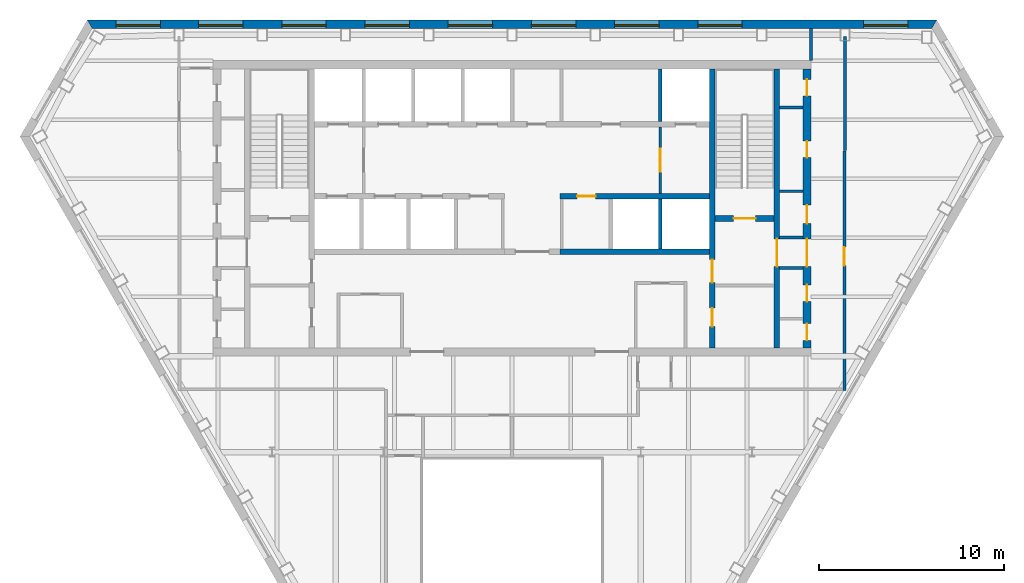
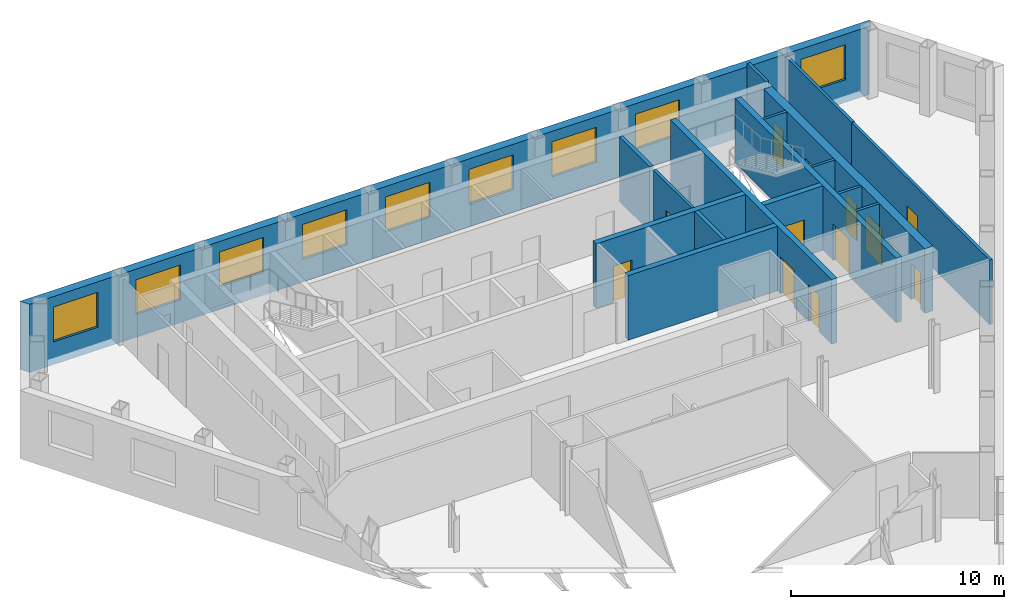
# One storey, part 7 of 11: 17 walls, 13 doors, 9 windows, 22 openings.
"""IFC4 building model written with IfcOpenShell, lengths in metres."""

from ifc_helpers import new_model, si_unit, direction, frame, frame_2d, origin, place, context, subcontext, project, spatial, polyline, rectangle, outline, extrude, material, layer, layer_set, type_object, element, fill, save


model = new_model("IFC4")

# Units and contexts
model_context = context("Model", 3, precision=1e-05, world=origin(), true_north=direction((0.0, 1.0)))
body_context = subcontext(model_context, "Body", "Model", "MODEL_VIEW")
ifc_project = project(units=[si_unit("LENGTHUNIT", "METRE"), si_unit("AREAUNIT", "SQUARE_METRE"), si_unit("VOLUMEUNIT", "CUBIC_METRE"), si_unit("PLANEANGLEUNIT", "RADIAN"), si_unit("MASSUNIT", "GRAM", prefix="KILO")], contexts=[model_context])

# Site, building, storey
site_placement = place(None, origin())
site = spatial("IfcSite", under=ifc_project, at=site_placement, CompositionType="ELEMENT")
building_placement = place(site_placement, origin())
building = spatial("IfcBuilding", under=site, at=building_placement, Name="Njiva Tower", CompositionType="ELEMENT")
storey_placement = place(building_placement, frame((0.0, 0.0, 208.2)))
storey = spatial("IfcBuildingStorey", under=building, at=storey_placement, Name="L46", CompositionType="ELEMENT", Elevation=208.2)

# Wall
ifc_material_1 = material(Name="Blockwork", Category="masonry")
ifc_layer_1 = layer(ifc_material_1, 0.15)
ifc_layer_set_1 = layer_set([ifc_layer_1], Name="Blockwork")
wall_type_1 = type_object("IfcWallType", Name="WT1 Compartment partition 150", PredefinedType="PARTITIONING", material=ifc_layer_set_1)
wall_1_placement = place(storey_placement, frame((14.5, 10.9308, 0.0), z_axis=(0.0, 0.0, 1.0), x_axis=(1.0, 0.0, 0.0)))
element("IfcWall", 1, at=wall_1_placement, inside=storey, type_object=wall_type_1, Name="Partition strip E10", PredefinedType="PARTITIONING", context=body_context, shape_type="SweptSolid", body=[
    extrude(rectangle(XDim=1.25, YDim=0.15, at=frame_2d((0.625, 0.0))), origin(), (0.0, 0.0, 1.0), 3.7),
])

# Wall, openings, doors
ifc_material_2 = material(Name="Concrete C40/50", Category="concrete")
ifc_layer_2 = layer(ifc_material_2, 0.3)
ifc_layer_set_2 = layer_set([ifc_layer_2], Name="Concrete C40/50")
wall_type_2 = type_object("IfcWallType", Name="WT10 Stair enclosure wall 300", PredefinedType="SHEAR", material=ifc_layer_set_2)
wall_2_placement = place(storey_placement, frame((10.85, 2.45, 0.0), z_axis=(0.0, 0.0, 1.0), x_axis=(0.0, 1.0, 0.0)))
wall_2 = element("IfcWall", 2, at=wall_2_placement, inside=storey, type_object=wall_type_2, Name="Stair wall east inner", PredefinedType="SHEAR", context=body_context, shape_type="SweptSolid", body=[
    extrude(rectangle(XDim=15.1, YDim=0.3, at=frame_2d((7.55, 0.0))), origin(), (0.0, 0.0, 1.0), 3.7),
])
opening_1_placement = place(wall_2_placement, frame((3.525, 0.0, 0.0)))
opening_1 = element("IfcOpeningElement", 3, at=opening_1_placement, cuts=wall_2, Name="Opening S15-D919", PredefinedType="OPENING", context=body_context, shape_type="SweptSolid", body=[
    extrude(rectangle(XDim=1.25, YDim=2.1, at=frame_2d((0.625, 1.05))), frame((0.0, 0.16, 0.0), z_axis=(0.0, -1.0, 0.0), x_axis=(1.0, 0.0, 0.0)), (0.0, 0.0, 1.0), 0.32),
])
opening_2_placement = place(wall_2_placement, frame((1.15, 0.0, 0.0)))
opening_2 = element("IfcOpeningElement", 4, at=opening_2_placement, cuts=wall_2, Name="Opening S15-D920", PredefinedType="OPENING", context=body_context, shape_type="SweptSolid", body=[
    extrude(rectangle(XDim=1.0, YDim=2.1, at=frame_2d((0.5, 1.05))), frame((0.0, 0.16, 0.0), z_axis=(0.0, -1.0, 0.0), x_axis=(1.0, 0.0, 0.0)), (0.0, 0.0, 1.0), 0.32),
])
ifc_material_3 = material(Name="Steel door, painted", Category="steel")
door_type_1 = type_object("IfcDoorType", Name="D5 Steel door 1000x2100", OperationType="SINGLE_SWING_LEFT", PredefinedType="DOOR", material=ifc_material_3)
door_1_placement = place(opening_2_placement, origin())
door_1 = element("IfcDoor", 5, at=door_1_placement, inside=storey, type_object=door_type_1, Name="Prayer room door", OperationType="SINGLE_SWING_LEFT", OverallHeight=2.1, OverallWidth=1.0, PredefinedType="DOOR", context=body_context, shape_type="SweptSolid", body=[
    extrude(rectangle(XDim=1.0, YDim=2.1, at=frame_2d((0.5, 1.05))), frame((0.0, 0.025, 0.0), z_axis=(0.0, -1.0, 0.0), x_axis=(1.0, 0.0, 0.0)), (0.0, 0.0, 1.0), 0.05),
])
fill(opening_2, door_1)
ifc_material_4 = material(Name="Glazed steel fire door", Category="steel")
door_type_2 = type_object("IfcDoorType", Name="D8 Vestibule corridor door 1250x2100 glazed", OperationType="SINGLE_SWING_LEFT", PredefinedType="DOOR", material=ifc_material_4)
door_2_placement = place(opening_1_placement, origin())
door_2 = element("IfcDoor", 6, at=door_2_placement, inside=storey, type_object=door_type_2, Name="Stair vestibule corridor door", OperationType="SINGLE_SWING_RIGHT", OverallHeight=2.1, OverallWidth=1.25, PredefinedType="DOOR", context=body_context, shape_type="SweptSolid", body=[
    extrude(rectangle(XDim=1.25, YDim=2.1, at=frame_2d((0.625, 1.05))), frame((0.0, 0.025, 0.0), z_axis=(0.0, -1.0, 0.0), x_axis=(1.0, 0.0, 0.0)), (0.0, 0.0, 1.0), 0.05),
])
fill(opening_1, door_2)

# Wall, opening, door
wall_3_placement = place(storey_placement, frame((14.35, 2.45, 0.0), z_axis=(0.0, 0.0, 1.0), x_axis=(0.0, 1.0, 0.0)))
wall_3 = element("IfcWall", 7, at=wall_3_placement, inside=storey, type_object=wall_type_2, Name="Stair wall east outer", PredefinedType="SHEAR", context=body_context, shape_type="SweptSolid", body=[
    extrude(rectangle(XDim=15.1, YDim=0.3, at=frame_2d((7.55, 0.0))), origin(), (0.0, 0.0, 1.0), 3.7),
])
opening_3_placement = place(wall_3_placement, frame((4.4, 0.0, 0.0)))
opening_3 = element("IfcOpeningElement", 8, at=opening_3_placement, cuts=wall_3, Name="Opening S15-D928", PredefinedType="OPENING", context=body_context, shape_type="SweptSolid", body=[
    extrude(rectangle(XDim=1.5, YDim=2.1, at=frame_2d((0.75, 1.05))), frame((0.0, 0.16, 0.0), z_axis=(0.0, -1.0, 0.0), x_axis=(1.0, 0.0, 0.0)), (0.0, 0.0, 1.0), 0.32),
])
door_type_3 = type_object("IfcDoorType", Name="D10 Exit door double 1500x2100 glazed", OperationType="DOUBLE_DOOR_SINGLE_SWING", PredefinedType="DOOR", material=ifc_material_4)
door_3_placement = place(opening_3_placement, origin())
door_3 = element("IfcDoor", 9, at=door_3_placement, inside=storey, type_object=door_type_3, Name="Stair B passage door", OperationType="DOUBLE_DOOR_SINGLE_SWING", OverallHeight=2.1, OverallWidth=1.5, PredefinedType="DOOR", context=body_context, shape_type="SweptSolid", body=[
    extrude(rectangle(XDim=1.5, YDim=2.1, at=frame_2d((0.75, 1.05))), frame((0.0, 0.025, 0.0), z_axis=(0.0, -1.0, 0.0), x_axis=(1.0, 0.0, 0.0)), (0.0, 0.0, 1.0), 0.05),
])
fill(opening_3, door_3)

wall_4_placement = place(storey_placement, frame((11.0, 9.45, 0.0), z_axis=(0.0, 0.0, 1.0), x_axis=(1.0, 0.0, 0.0)))
wall_4 = element("IfcWall", 10, at=wall_4_placement, inside=storey, type_object=wall_type_2, Name="Stair B south wall", PredefinedType="SHEAR", context=body_context, shape_type="SweptSolid", body=[
    extrude(rectangle(XDim=3.2, YDim=0.3, at=frame_2d((1.6, 0.0))), origin(), (0.0, 0.0, 1.0), 3.7),
])
opening_4_placement = place(wall_4_placement, frame((1.0, 0.0, 0.0)))
opening_4 = element("IfcOpeningElement", 11, at=opening_4_placement, cuts=wall_4, Name="Opening S15-D918", PredefinedType="OPENING", context=body_context, shape_type="SweptSolid", body=[
    extrude(rectangle(XDim=1.2, YDim=2.1, at=frame_2d((0.6, 1.05))), frame((0.0, 0.16, 0.0), z_axis=(0.0, -1.0, 0.0), x_axis=(1.0, 0.0, 0.0)), (0.0, 0.0, 1.0), 0.32),
])
door_type_4 = type_object("IfcDoorType", Name="D7 Stair vestibule door 1200x2100 glazed", OperationType="SINGLE_SWING_LEFT", PredefinedType="DOOR", material=ifc_material_4)
door_4_placement = place(opening_4_placement, origin())
door_4 = element("IfcDoor", 12, at=door_4_placement, inside=storey, type_object=door_type_4, Name="Stair B door", OperationType="SINGLE_SWING_LEFT", OverallHeight=2.1, OverallWidth=1.2, PredefinedType="DOOR", context=body_context, shape_type="SweptSolid", body=[
    extrude(rectangle(XDim=1.2, YDim=2.1, at=frame_2d((0.6, 1.05))), frame((0.0, 0.025, 0.0), z_axis=(0.0, -1.0, 0.0), x_axis=(1.0, 0.0, 0.0)), (0.0, 0.0, 1.0), 0.05),
])
fill(opening_4, door_4)

# Wall, openings, doors
ifc_material_5 = material(Name="Concrete C60/75", Category="concrete")
ifc_layer_3 = layer(ifc_material_5, 0.45)
ifc_layer_set_3 = layer_set([ifc_layer_3], Name="Concrete C60/75")
wall_type_3 = type_object("IfcWallType", Name="WT12 Core wall 450", PredefinedType="SHEAR", material=ifc_layer_set_3)
wall_5_placement = place(storey_placement, frame((15.975, 2.45, 0.0), z_axis=(0.0, 0.0, 1.0), x_axis=(0.0, 1.0, 0.0)))
wall_5 = element("IfcWall", 13, at=wall_5_placement, inside=storey, type_object=wall_type_3, Name="Core wall east", PredefinedType="SHEAR", context=body_context, shape_type="SweptSolid", body=[
    extrude(rectangle(XDim=15.1, YDim=0.45, at=frame_2d((7.55, 0.0))), origin(), (0.0, 0.0, 1.0), 3.7),
])
opening_5_placement = place(wall_5_placement, frame((4.4, 0.0, 0.0)))
opening_5 = element("IfcOpeningElement", 14, at=opening_5_placement, cuts=wall_5, Name="Opening S15-D929", PredefinedType="OPENING", context=body_context, shape_type="SweptSolid", body=[
    extrude(rectangle(XDim=1.5, YDim=2.1, at=frame_2d((0.75, 1.05))), frame((0.0, 0.235, 0.0), z_axis=(0.0, -1.0, 0.0), x_axis=(1.0, 0.0, 0.0)), (0.0, 0.0, 1.0), 0.47),
])
opening_6_placement = place(wall_5_placement, frame((0.4, 0.0, 0.0)))
opening_6 = element("IfcOpeningElement", 15, at=opening_6_placement, cuts=wall_5, Name="Opening S15-D930", PredefinedType="OPENING", context=body_context, shape_type="SweptSolid", body=[
    extrude(rectangle(XDim=0.9, YDim=2.1, at=frame_2d((0.45, 1.05))), frame((0.0, 0.235, 0.0), z_axis=(0.0, -1.0, 0.0), x_axis=(1.0, 0.0, 0.0)), (0.0, 0.0, 1.0), 0.47),
])
opening_7_placement = place(wall_5_placement, frame((2.5, 0.0, 0.0)))
opening_7 = element("IfcOpeningElement", 16, at=opening_7_placement, cuts=wall_5, Name="Opening S15-D931", PredefinedType="OPENING", context=body_context, shape_type="SweptSolid", body=[
    extrude(rectangle(XDim=0.9, YDim=2.1, at=frame_2d((0.45, 1.05))), frame((0.0, 0.235, 0.0), z_axis=(0.0, -1.0, 0.0), x_axis=(1.0, 0.0, 0.0)), (0.0, 0.0, 1.0), 0.47),
])
opening_8_placement = place(wall_5_placement, frame((6.7279, 0.0, 0.0)))
opening_8 = element("IfcOpeningElement", 17, at=opening_8_placement, cuts=wall_5, Name="Opening S15-D932", PredefinedType="OPENING", context=body_context, shape_type="SweptSolid", body=[
    extrude(rectangle(XDim=1.0, YDim=2.1, at=frame_2d((0.5, 1.05))), frame((0.0, 0.235, 0.0), z_axis=(0.0, -1.0, 0.0), x_axis=(1.0, 0.0, 0.0)), (0.0, 0.0, 1.0), 0.47),
])
opening_9_placement = place(wall_5_placement, frame((10.2933, 0.0, 0.0)))
opening_9 = element("IfcOpeningElement", 18, at=opening_9_placement, cuts=wall_5, Name="Opening S15-D933", PredefinedType="OPENING", context=body_context, shape_type="SweptSolid", body=[
    extrude(rectangle(XDim=0.9, YDim=2.1, at=frame_2d((0.45, 1.05))), frame((0.0, 0.235, 0.0), z_axis=(0.0, -1.0, 0.0), x_axis=(1.0, 0.0, 0.0)), (0.0, 0.0, 1.0), 0.47),
])
opening_10_placement = place(wall_5_placement, frame((13.6404, 0.0, 0.0)))
opening_10 = element("IfcOpeningElement", 19, at=opening_10_placement, cuts=wall_5, Name="Opening S15-D934", PredefinedType="OPENING", context=body_context, shape_type="SweptSolid", body=[
    extrude(rectangle(XDim=0.9, YDim=2.1, at=frame_2d((0.45, 1.05))), frame((0.0, 0.235, 0.0), z_axis=(0.0, -1.0, 0.0), x_axis=(1.0, 0.0, 0.0)), (0.0, 0.0, 1.0), 0.47),
])
door_5_placement = place(opening_5_placement, origin())
door_5 = element("IfcDoor", 20, at=door_5_placement, inside=storey, type_object=door_type_3, Name="Stair B corridor door", OperationType="DOUBLE_DOOR_SINGLE_SWING", OverallHeight=2.1, OverallWidth=1.5, PredefinedType="DOOR", context=body_context, shape_type="SweptSolid", body=[
    extrude(rectangle(XDim=1.5, YDim=2.1, at=frame_2d((0.75, 1.05))), frame((0.0, 0.025, 0.0), z_axis=(0.0, -1.0, 0.0), x_axis=(1.0, 0.0, 0.0)), (0.0, 0.0, 1.0), 0.05),
])
fill(opening_5, door_5)
door_type_5 = type_object("IfcDoorType", Name="D4 Riser door 900x2100", OperationType="SINGLE_SWING_LEFT", PredefinedType="DOOR", material=ifc_material_3)
door_6_placement = place(opening_10_placement, origin())
door_6 = element("IfcDoor", 21, at=door_6_placement, inside=storey, type_object=door_type_5, Name="Cable riser door", OperationType="SINGLE_SWING_RIGHT", OverallHeight=2.1, OverallWidth=0.9, PredefinedType="DOOR", context=body_context, shape_type="SweptSolid", body=[
    extrude(rectangle(XDim=0.9, YDim=2.1, at=frame_2d((0.45, 1.05))), frame((0.0, 0.025, 0.0), z_axis=(0.0, -1.0, 0.0), x_axis=(1.0, 0.0, 0.0)), (0.0, 0.0, 1.0), 0.05),
])
fill(opening_10, door_6)
door_7_placement = place(opening_8_placement, origin())
door_7 = element("IfcDoor", 22, at=door_7_placement, inside=storey, type_object=door_type_1, Name="Electrical room door", OperationType="SINGLE_SWING_LEFT", OverallHeight=2.1, OverallWidth=1.0, PredefinedType="DOOR", context=body_context, shape_type="SweptSolid", body=[
    extrude(rectangle(XDim=1.0, YDim=2.1, at=frame_2d((0.5, 1.05))), frame((0.0, 0.025, 0.0), z_axis=(0.0, -1.0, 0.0), x_axis=(1.0, 0.0, 0.0)), (0.0, 0.0, 1.0), 0.05),
])
fill(opening_8, door_7)
ifc_material_6 = material(Name="Steel fire door, painted", Category="steel")
door_type_6 = type_object("IfcDoorType", Name="D6 Fire-rated door 900x2100", OperationType="SINGLE_SWING_LEFT", PredefinedType="DOOR", material=ifc_material_6)
door_8_placement = place(opening_6_placement, origin())
door_8 = element("IfcDoor", 23, at=door_8_placement, inside=storey, type_object=door_type_6, Name="Cleaner's store door", OperationType="SINGLE_SWING_LEFT", OverallHeight=2.1, OverallWidth=0.9, PredefinedType="DOOR", context=body_context, shape_type="SweptSolid", body=[
    extrude(rectangle(XDim=0.9, YDim=2.1, at=frame_2d((0.45, 1.05))), frame((0.0, 0.025, 0.0), z_axis=(0.0, -1.0, 0.0), x_axis=(1.0, 0.0, 0.0)), (0.0, 0.0, 1.0), 0.05),
])
fill(opening_6, door_8)
door_9_placement = place(opening_7_placement, origin())
door_9 = element("IfcDoor", 24, at=door_9_placement, inside=storey, type_object=door_type_6, Name="Cable store door", OperationType="SINGLE_SWING_LEFT", OverallHeight=2.1, OverallWidth=0.9, PredefinedType="DOOR", context=body_context, shape_type="SweptSolid", body=[
    extrude(rectangle(XDim=0.9, YDim=2.1, at=frame_2d((0.45, 1.05))), frame((0.0, 0.025, 0.0), z_axis=(0.0, -1.0, 0.0), x_axis=(1.0, 0.0, 0.0)), (0.0, 0.0, 1.0), 0.05),
])
fill(opening_7, door_9)
door_10_placement = place(opening_9_placement, origin())
door_10 = element("IfcDoor", 25, at=door_10_placement, inside=storey, type_object=door_type_6, Name="Cable store door", OperationType="SINGLE_SWING_RIGHT", OverallHeight=2.1, OverallWidth=0.9, PredefinedType="DOOR", context=body_context, shape_type="SweptSolid", body=[
    extrude(rectangle(XDim=0.9, YDim=2.1, at=frame_2d((0.45, 1.05))), frame((0.0, 0.025, 0.0), z_axis=(0.0, -1.0, 0.0), x_axis=(1.0, 0.0, 0.0)), (0.0, 0.0, 1.0), 0.05),
])
fill(opening_9, door_10)

# Wall, opening, door
ifc_layer_4 = layer(ifc_material_1, 0.15)
ifc_layer_set_4 = layer_set([ifc_layer_4], Name="Blockwork")
wall_type_4 = type_object("IfcWallType", Name="WT2 Lobby partition 150", PredefinedType="PARTITIONING", material=ifc_layer_set_4)
wall_6_placement = place(storey_placement, frame((8.025, 10.8, 0.0), z_axis=(0.0, 0.0, 1.0), x_axis=(0.0, 1.0, 0.0)))
wall_6 = element("IfcWall", 26, at=wall_6_placement, inside=storey, type_object=wall_type_4, Name="Firefighting lobby wall B", PredefinedType="PARTITIONING", context=body_context, shape_type="SweptSolid", body=[
    extrude(rectangle(XDim=3.6, YDim=0.15, at=frame_2d((1.8, 0.0))), origin(), (0.0, 0.0, 1.0), 3.7),
])
opening_11_placement = place(wall_6_placement, frame((1.175, 0.0, 0.0)))
opening_11 = element("IfcOpeningElement", 27, at=opening_11_placement, cuts=wall_6, Name="Opening S15-D917", PredefinedType="OPENING", context=body_context, shape_type="SweptSolid", body=[
    extrude(rectangle(XDim=1.25, YDim=2.1, at=frame_2d((0.625, 1.05))), frame((0.0, 0.085, 0.0), z_axis=(0.0, -1.0, 0.0), x_axis=(1.0, 0.0, 0.0)), (0.0, 0.0, 1.0), 0.17),
])
door_11_placement = place(opening_11_placement, origin())
door_11 = element("IfcDoor", 28, at=door_11_placement, inside=storey, type_object=door_type_2, Name="Stair vestibule corridor door", OperationType="SINGLE_SWING_LEFT", OverallHeight=2.1, OverallWidth=1.25, PredefinedType="DOOR", context=body_context, shape_type="SweptSolid", body=[
    extrude(rectangle(XDim=1.25, YDim=2.1, at=frame_2d((0.625, 1.05))), frame((0.0, 0.025, 0.0), z_axis=(0.0, -1.0, 0.0), x_axis=(1.0, 0.0, 0.0)), (0.0, 0.0, 1.0), 0.05),
])
fill(opening_11, door_11)

# Wall
ifc_material_7 = material(Name="Gypsum board on steel studs", Category="gypsum")
ifc_layer_5 = layer(ifc_material_7, 0.15)
ifc_layer_set_5 = layer_set([ifc_layer_5], Name="Gypsum board on steel studs")
wall_type_5 = type_object("IfcWallType", Name="WT21 Compartment wall 150", PredefinedType="PARTITIONING", material=ifc_layer_set_5)
wall_7_placement = place(storey_placement, frame((16.2, 18.0, 0.0), z_axis=(0.0, 0.0, 1.0), x_axis=(0.0, 1.0, 0.0)))
element("IfcWall", 29, at=wall_7_placement, inside=storey, type_object=wall_type_5, Name="Partition S15-P025", PredefinedType="PARTITIONING", context=body_context, shape_type="SweptSolid", body=[
    extrude(rectangle(XDim=1.75, YDim=0.15, at=frame_2d((0.875, 0.0))), origin(), (0.0, 0.0, 1.0), 3.7),
])

# Wall, opening, door
wall_8_placement = place(storey_placement, frame((18.0, 0.125, 0.0), z_axis=(0.0, 0.0, 1.0), x_axis=(0.0, 1.0, 0.0)))
wall_8 = element("IfcWall", 30, at=wall_8_placement, inside=storey, type_object=wall_type_5, Name="Partition S15-P026", PredefinedType="PARTITIONING", context=body_context, shape_type="SweptSolid", body=[
    extrude(rectangle(XDim=12.98, YDim=0.15, at=frame_2d((6.49, 0.0))), origin(), (0.0, 0.0, 1.0), 3.7),
])
opening_12_placement = place(wall_8_placement, frame((6.777, 0.0, 0.0)))
opening_12 = element("IfcOpeningElement", 31, at=opening_12_placement, cuts=wall_8, Name="Opening S15-D013", PredefinedType="OPENING", context=body_context, shape_type="SweptSolid", body=[
    extrude(rectangle(XDim=1.0, YDim=2.1, at=frame_2d((0.5, 1.05))), frame((0.0, 0.085, 0.0), z_axis=(0.0, -1.0, 0.0), x_axis=(1.0, 0.0, 0.0)), (0.0, 0.0, 1.0), 0.17),
])
ifc_material_8 = material(Name="Steel fire door set", Category="steel")
door_type_7 = type_object("IfcDoorType", Name="D37 Fire door 1000x2100", OperationType="SINGLE_SWING_LEFT", PredefinedType="DOOR", material=ifc_material_8)
door_12_placement = place(opening_12_placement, origin())
door_12 = element("IfcDoor", 32, at=door_12_placement, inside=storey, type_object=door_type_7, Name="Door S15-D013", OperationType="SINGLE_SWING_LEFT", OverallHeight=2.1, OverallWidth=1.0, PredefinedType="DOOR", context=body_context, shape_type="SweptSolid", body=[
    extrude(rectangle(XDim=1.0, YDim=2.1, at=frame_2d((0.5, 1.05))), frame((0.0, 0.025, 0.0), z_axis=(0.0, -1.0, 0.0), x_axis=(1.0, 0.0, 0.0)), (0.0, 0.0, 1.0), 0.05),
])
fill(opening_12, door_12)

# Walls
wall_9_placement = place(storey_placement, frame((18.031, 13.123, 0.0), z_axis=(0.0, 0.0, 1.0), x_axis=(0.0, 1.0, 0.0)))
element("IfcWall", 33, at=wall_9_placement, inside=storey, type_object=wall_type_5, Name="Partition S15-P027", PredefinedType="PARTITIONING", context=body_context, shape_type="SweptSolid", body=[
    extrude(rectangle(XDim=6.177, YDim=0.15, at=frame_2d((3.0885, 0.0))), origin(), (0.0, 0.0, 1.0), 3.7),
])
ifc_layer_6 = layer(ifc_material_1, 0.15)
ifc_layer_set_6 = layer_set([ifc_layer_6], Name="Blockwork")
wall_type_6 = type_object("IfcWallType", Name="WT3 Riser partition 150", PredefinedType="PARTITIONING", material=ifc_layer_set_6)
wall_10_placement = place(storey_placement, frame((14.5, 15.4558, 0.0), z_axis=(0.0, 0.0, 1.0), x_axis=(1.0, 0.0, 0.0)))
element("IfcWall", 34, at=wall_10_placement, inside=storey, type_object=wall_type_6, Name="Partition strip E11", PredefinedType="PARTITIONING", context=body_context, shape_type="SweptSolid", body=[
    extrude(rectangle(XDim=1.25, YDim=0.15, at=frame_2d((0.625, 0.0))), origin(), (0.0, 0.0, 1.0), 3.7),
])
ifc_layer_7 = layer(ifc_material_1, 0.15)
ifc_layer_set_7 = layer_set([ifc_layer_7], Name="Blockwork")
wall_type_7 = type_object("IfcWallType", Name="WT4 Stair partition 150", PredefinedType="PARTITIONING", material=ifc_layer_set_7)
for number, where, z_axis, x_axis, name in (
    (35, (14.5, 6.775, 0.0), (0.0, 0.0, 1.0), (1.0, 0.0, 0.0), "Stair B exit passage wall south"),
    (36, (14.5, 8.425, 0.0), (0.0, 0.0, 1.0), (1.0, 0.0, 0.0), "Stair B exit passage wall north"),
):
    element("IfcWall", number, at=place(storey_placement, frame(where, z_axis=z_axis, x_axis=x_axis)), inside=storey, type_object=wall_type_7, Name=name, PredefinedType="PARTITIONING", context=body_context, shape_type="SweptSolid", body=[
        extrude(rectangle(XDim=1.25, YDim=0.15, at=frame_2d((0.625, 0.0))), origin(), (0.0, 0.0, 1.0), 3.7),
    ])
ifc_layer_8 = layer(ifc_material_2, 0.2)
ifc_layer_set_8 = layer_set([ifc_layer_8], Name="Concrete C40/50")
wall_type_8 = type_object("IfcWallType", Name="WT6 Lift shaft wall 200", PredefinedType="SHEAR", material=ifc_layer_set_8)
wall_11_placement = place(storey_placement, frame((8.025, 14.7, 0.0), z_axis=(0.0, 0.0, 1.0), x_axis=(0.0, 1.0, 0.0)))
element("IfcWall", 37, at=wall_11_placement, inside=storey, type_object=wall_type_8, Name="Shaft wall CN7", PredefinedType="SHEAR", context=body_context, shape_type="SweptSolid", body=[
    extrude(rectangle(XDim=2.85, YDim=0.2, at=frame_2d((1.425, 0.0))), origin(), (0.0, 0.0, 1.0), 3.7),
])
wall_12_placement = place(storey_placement, frame((8.0333, 7.8, 0.0), z_axis=(0.0, 0.0, 1.0), x_axis=(0.0, 1.0, 0.0)))
element("IfcWall", 38, at=wall_12_placement, inside=storey, type_object=wall_type_8, Name="Shaft wall CS7", PredefinedType="SHEAR", context=body_context, shape_type="SweptSolid", body=[
    extrude(rectangle(XDim=2.7, YDim=0.2, at=frame_2d((1.35, 0.0))), origin(), (0.0, 0.0, 1.0), 3.7),
])

# Wall, opening, door
ifc_layer_9 = layer(ifc_material_2, 0.3)
ifc_layer_set_9 = layer_set([ifc_layer_9], Name="Concrete C40/50")
wall_type_9 = type_object("IfcWallType", Name="WT7 Lift shaft wall 300", PredefinedType="SHEAR", material=ifc_layer_set_9)
wall_13_placement = place(storey_placement, frame((2.6, 10.65, 0.0), z_axis=(0.0, 0.0, 1.0), x_axis=(1.0, 0.0, 0.0)))
wall_13 = element("IfcWall", 39, at=wall_13_placement, inside=storey, type_object=wall_type_9, Name="Shaft wall south row lobby side E", PredefinedType="SHEAR", context=body_context, shape_type="SweptSolid", body=[
    extrude(rectangle(XDim=8.1, YDim=0.3, at=frame_2d((4.05, 0.0))), origin(), (0.0, 0.0, 1.0), 3.7),
])
opening_13_placement = place(wall_13_placement, frame((0.9334, 0.0, 0.0)))
opening_13 = element("IfcOpeningElement", 40, at=opening_13_placement, cuts=wall_13, Name="Opening S15-D912", PredefinedType="OPENING", context=body_context, shape_type="SweptSolid", body=[
    extrude(rectangle(XDim=1.0, YDim=2.1, at=frame_2d((0.5, 1.05))), frame((0.0, 0.16, 0.0), z_axis=(0.0, -1.0, 0.0), x_axis=(1.0, 0.0, 0.0)), (0.0, 0.0, 1.0), 0.32),
])
door_13_placement = place(opening_13_placement, origin())
door_13 = element("IfcDoor", 41, at=door_13_placement, inside=storey, type_object=door_type_1, Name="Prayer room door", OperationType="SINGLE_SWING_LEFT", OverallHeight=2.1, OverallWidth=1.0, PredefinedType="DOOR", context=body_context, shape_type="SweptSolid", body=[
    extrude(rectangle(XDim=1.0, YDim=2.1, at=frame_2d((0.5, 1.05))), frame((0.0, 0.025, 0.0), z_axis=(0.0, -1.0, 0.0), x_axis=(1.0, 0.0, 0.0)), (0.0, 0.0, 1.0), 0.05),
])
fill(opening_13, door_13)

# Wall
wall_14_placement = place(storey_placement, frame((2.6, 7.65, 0.0), z_axis=(0.0, 0.0, 1.0), x_axis=(1.0, 0.0, 0.0)))
element("IfcWall", 42, at=wall_14_placement, inside=storey, type_object=wall_type_9, Name="Shaft wall south row back E", PredefinedType="SHEAR", context=body_context, shape_type="SweptSolid", body=[
    extrude(rectangle(XDim=8.1, YDim=0.3, at=frame_2d((4.05, 0.0))), origin(), (0.0, 0.0, 1.0), 3.7),
])

# Wall, openings, windows
ifc_material_9 = material(Name="Brick masonry", Category="masonry")
ifc_layer_10 = layer(ifc_material_9, 0.45)
ifc_layer_set_10 = layer_set([ifc_layer_10], Name="Brick masonry")
wall_type_10 = type_object("IfcWallType", Name="WT90 Brick pier and spandrel wall 450", PredefinedType="SOLIDWALL", material=ifc_layer_set_10)
wall_15_placement = place(storey_placement, frame((22.8701, 19.975, -0.4), z_axis=(0.0, 0.0, 1.0), x_axis=(-1.0, 0.0, 0.0)))
wall_15 = element("IfcWall", 43, at=wall_15_placement, inside=storey, type_object=wall_type_10, Name="Facade wall N", PredefinedType="SOLIDWALL", context=body_context, shape_type="SweptSolid", body=[
    extrude(outline(polyline([(-0.1299, -0.225), (45.8701, -0.225), (45.6103, 0.225), (0.1299, 0.225), (-0.1299, -0.225)])), origin(), (0.0, 0.0, 1.0), 3.9),
])
opening_14_placement = place(wall_15_placement, frame((1.4242, 0.0, 1.3)))
opening_14 = element("IfcOpeningElement", 44, at=opening_14_placement, cuts=wall_15, Name="Opening S15-W01", PredefinedType="OPENING", context=body_context, shape_type="SweptSolid", body=[
    extrude(rectangle(XDim=2.4, YDim=2.0, at=frame_2d((1.2, 1.0))), frame((0.0, 0.235, 0.0), z_axis=(0.0, -1.0, 0.0), x_axis=(1.0, 0.0, 0.0)), (0.0, 0.0, 1.0), 0.47),
])
opening_15_placement = place(wall_15_placement, frame((10.401, 0.0, 1.3)))
opening_15 = element("IfcOpeningElement", 45, at=opening_15_placement, cuts=wall_15, Name="Opening S15-W02", PredefinedType="OPENING", context=body_context, shape_type="SweptSolid", body=[
    extrude(rectangle(XDim=2.4, YDim=2.0, at=frame_2d((1.2, 1.0))), frame((0.0, 0.235, 0.0), z_axis=(0.0, -1.0, 0.0), x_axis=(1.0, 0.0, 0.0)), (0.0, 0.0, 1.0), 0.47),
])
opening_16_placement = place(wall_15_placement, frame((14.9087, 0.0, 1.3)))
opening_16 = element("IfcOpeningElement", 46, at=opening_16_placement, cuts=wall_15, Name="Opening S15-W03", PredefinedType="OPENING", context=body_context, shape_type="SweptSolid", body=[
    extrude(rectangle(XDim=2.4, YDim=2.0, at=frame_2d((1.2, 1.0))), frame((0.0, 0.235, 0.0), z_axis=(0.0, -1.0, 0.0), x_axis=(1.0, 0.0, 0.0)), (0.0, 0.0, 1.0), 0.47),
])
opening_17_placement = place(wall_15_placement, frame((19.4163, 0.0, 1.3)))
opening_17 = element("IfcOpeningElement", 47, at=opening_17_placement, cuts=wall_15, Name="Opening S15-W04", PredefinedType="OPENING", context=body_context, shape_type="SweptSolid", body=[
    extrude(rectangle(XDim=2.4, YDim=2.0, at=frame_2d((1.2, 1.0))), frame((0.0, 0.235, 0.0), z_axis=(0.0, -1.0, 0.0), x_axis=(1.0, 0.0, 0.0)), (0.0, 0.0, 1.0), 0.47),
])
opening_18_placement = place(wall_15_placement, frame((23.9239, 0.0, 1.3)))
opening_18 = element("IfcOpeningElement", 48, at=opening_18_placement, cuts=wall_15, Name="Opening S15-W05", PredefinedType="OPENING", context=body_context, shape_type="SweptSolid", body=[
    extrude(rectangle(XDim=2.4, YDim=2.0, at=frame_2d((1.2, 1.0))), frame((0.0, 0.235, 0.0), z_axis=(0.0, -1.0, 0.0), x_axis=(1.0, 0.0, 0.0)), (0.0, 0.0, 1.0), 0.47),
])
opening_19_placement = place(wall_15_placement, frame((28.4315, 0.0, 1.3)))
opening_19 = element("IfcOpeningElement", 49, at=opening_19_placement, cuts=wall_15, Name="Opening S15-W06", PredefinedType="OPENING", context=body_context, shape_type="SweptSolid", body=[
    extrude(rectangle(XDim=2.4, YDim=2.0, at=frame_2d((1.2, 1.0))), frame((0.0, 0.235, 0.0), z_axis=(0.0, -1.0, 0.0), x_axis=(1.0, 0.0, 0.0)), (0.0, 0.0, 1.0), 0.47),
])
opening_20_placement = place(wall_15_placement, frame((32.9391, 0.0, 1.3)))
opening_20 = element("IfcOpeningElement", 50, at=opening_20_placement, cuts=wall_15, Name="Opening S15-W07", PredefinedType="OPENING", context=body_context, shape_type="SweptSolid", body=[
    extrude(rectangle(XDim=2.4, YDim=2.0, at=frame_2d((1.2, 1.0))), frame((0.0, 0.235, 0.0), z_axis=(0.0, -1.0, 0.0), x_axis=(1.0, 0.0, 0.0)), (0.0, 0.0, 1.0), 0.47),
])
opening_21_placement = place(wall_15_placement, frame((37.4468, 0.0, 1.3)))
opening_21 = element("IfcOpeningElement", 51, at=opening_21_placement, cuts=wall_15, Name="Opening S15-W08", PredefinedType="OPENING", context=body_context, shape_type="SweptSolid", body=[
    extrude(rectangle(XDim=2.4, YDim=2.0, at=frame_2d((1.2, 1.0))), frame((0.0, 0.235, 0.0), z_axis=(0.0, -1.0, 0.0), x_axis=(1.0, 0.0, 0.0)), (0.0, 0.0, 1.0), 0.47),
])
opening_22_placement = place(wall_15_placement, frame((41.916, 0.0, 1.3)))
opening_22 = element("IfcOpeningElement", 52, at=opening_22_placement, cuts=wall_15, Name="Opening S15-W09", PredefinedType="OPENING", context=body_context, shape_type="SweptSolid", body=[
    extrude(rectangle(XDim=2.4, YDim=2.0, at=frame_2d((1.2, 1.0))), frame((0.0, 0.235, 0.0), z_axis=(0.0, -1.0, 0.0), x_axis=(1.0, 0.0, 0.0)), (0.0, 0.0, 1.0), 0.47),
])
ifc_material_10 = material(Name="Clear glazing in aluminium frame", Category="aluminium")
window_type = type_object("IfcWindowType", Name="W90 Deep-set window 2400x2000", PartitioningType="SINGLE_PANEL", PredefinedType="WINDOW", material=ifc_material_10)
window_1_placement = place(opening_14_placement, origin())
window_1 = element("IfcWindow", 53, at=window_1_placement, inside=storey, type_object=window_type, Name="Window", OverallHeight=2.0, OverallWidth=2.4, PartitioningType="SINGLE_PANEL", PredefinedType="WINDOW", context=body_context, shape_type="SweptSolid", body=[
    extrude(rectangle(XDim=2.4, YDim=2.0, at=frame_2d((1.2, 1.0))), frame((0.0, 0.105, 0.0), z_axis=(0.0, -1.0, 0.0), x_axis=(1.0, 0.0, 0.0)), (0.0, 0.0, 1.0), 0.06),
])
fill(opening_14, window_1)
window_2_placement = place(opening_15_placement, origin())
window_2 = element("IfcWindow", 54, at=window_2_placement, inside=storey, type_object=window_type, Name="Window", OverallHeight=2.0, OverallWidth=2.4, PartitioningType="SINGLE_PANEL", PredefinedType="WINDOW", context=body_context, shape_type="SweptSolid", body=[
    extrude(rectangle(XDim=2.4, YDim=2.0, at=frame_2d((1.2, 1.0))), frame((0.0, 0.105, 0.0), z_axis=(0.0, -1.0, 0.0), x_axis=(1.0, 0.0, 0.0)), (0.0, 0.0, 1.0), 0.06),
])
fill(opening_15, window_2)
window_3_placement = place(opening_16_placement, origin())
window_3 = element("IfcWindow", 55, at=window_3_placement, inside=storey, type_object=window_type, Name="Window", OverallHeight=2.0, OverallWidth=2.4, PartitioningType="SINGLE_PANEL", PredefinedType="WINDOW", context=body_context, shape_type="SweptSolid", body=[
    extrude(rectangle(XDim=2.4, YDim=2.0, at=frame_2d((1.2, 1.0))), frame((0.0, 0.105, 0.0), z_axis=(0.0, -1.0, 0.0), x_axis=(1.0, 0.0, 0.0)), (0.0, 0.0, 1.0), 0.06),
])
fill(opening_16, window_3)
window_4_placement = place(opening_17_placement, origin())
window_4 = element("IfcWindow", 56, at=window_4_placement, inside=storey, type_object=window_type, Name="Window", OverallHeight=2.0, OverallWidth=2.4, PartitioningType="SINGLE_PANEL", PredefinedType="WINDOW", context=body_context, shape_type="SweptSolid", body=[
    extrude(rectangle(XDim=2.4, YDim=2.0, at=frame_2d((1.2, 1.0))), frame((0.0, 0.105, 0.0), z_axis=(0.0, -1.0, 0.0), x_axis=(1.0, 0.0, 0.0)), (0.0, 0.0, 1.0), 0.06),
])
fill(opening_17, window_4)
window_5_placement = place(opening_18_placement, origin())
window_5 = element("IfcWindow", 57, at=window_5_placement, inside=storey, type_object=window_type, Name="Window", OverallHeight=2.0, OverallWidth=2.4, PartitioningType="SINGLE_PANEL", PredefinedType="WINDOW", context=body_context, shape_type="SweptSolid", body=[
    extrude(rectangle(XDim=2.4, YDim=2.0, at=frame_2d((1.2, 1.0))), frame((0.0, 0.105, 0.0), z_axis=(0.0, -1.0, 0.0), x_axis=(1.0, 0.0, 0.0)), (0.0, 0.0, 1.0), 0.06),
])
fill(opening_18, window_5)
window_6_placement = place(opening_19_placement, origin())
window_6 = element("IfcWindow", 58, at=window_6_placement, inside=storey, type_object=window_type, Name="Window", OverallHeight=2.0, OverallWidth=2.4, PartitioningType="SINGLE_PANEL", PredefinedType="WINDOW", context=body_context, shape_type="SweptSolid", body=[
    extrude(rectangle(XDim=2.4, YDim=2.0, at=frame_2d((1.2, 1.0))), frame((0.0, 0.105, 0.0), z_axis=(0.0, -1.0, 0.0), x_axis=(1.0, 0.0, 0.0)), (0.0, 0.0, 1.0), 0.06),
])
fill(opening_19, window_6)
window_7_placement = place(opening_20_placement, origin())
window_7 = element("IfcWindow", 59, at=window_7_placement, inside=storey, type_object=window_type, Name="Window", OverallHeight=2.0, OverallWidth=2.4, PartitioningType="SINGLE_PANEL", PredefinedType="WINDOW", context=body_context, shape_type="SweptSolid", body=[
    extrude(rectangle(XDim=2.4, YDim=2.0, at=frame_2d((1.2, 1.0))), frame((0.0, 0.105, 0.0), z_axis=(0.0, -1.0, 0.0), x_axis=(1.0, 0.0, 0.0)), (0.0, 0.0, 1.0), 0.06),
])
fill(opening_20, window_7)
window_8_placement = place(opening_21_placement, origin())
window_8 = element("IfcWindow", 60, at=window_8_placement, inside=storey, type_object=window_type, Name="Window", OverallHeight=2.0, OverallWidth=2.4, PartitioningType="SINGLE_PANEL", PredefinedType="WINDOW", context=body_context, shape_type="SweptSolid", body=[
    extrude(rectangle(XDim=2.4, YDim=2.0, at=frame_2d((1.2, 1.0))), frame((0.0, 0.105, 0.0), z_axis=(0.0, -1.0, 0.0), x_axis=(1.0, 0.0, 0.0)), (0.0, 0.0, 1.0), 0.06),
])
fill(opening_21, window_8)
window_9_placement = place(opening_22_placement, origin())
window_9 = element("IfcWindow", 61, at=window_9_placement, inside=storey, type_object=window_type, Name="Window", OverallHeight=2.0, OverallWidth=2.4, PartitioningType="SINGLE_PANEL", PredefinedType="WINDOW", context=body_context, shape_type="SweptSolid", body=[
    extrude(rectangle(XDim=2.4, YDim=2.0, at=frame_2d((1.2, 1.0))), frame((0.0, 0.105, 0.0), z_axis=(0.0, -1.0, 0.0), x_axis=(1.0, 0.0, 0.0)), (0.0, 0.0, 1.0), 0.06),
])
fill(opening_22, window_9)

save(model, "model.ifc")
